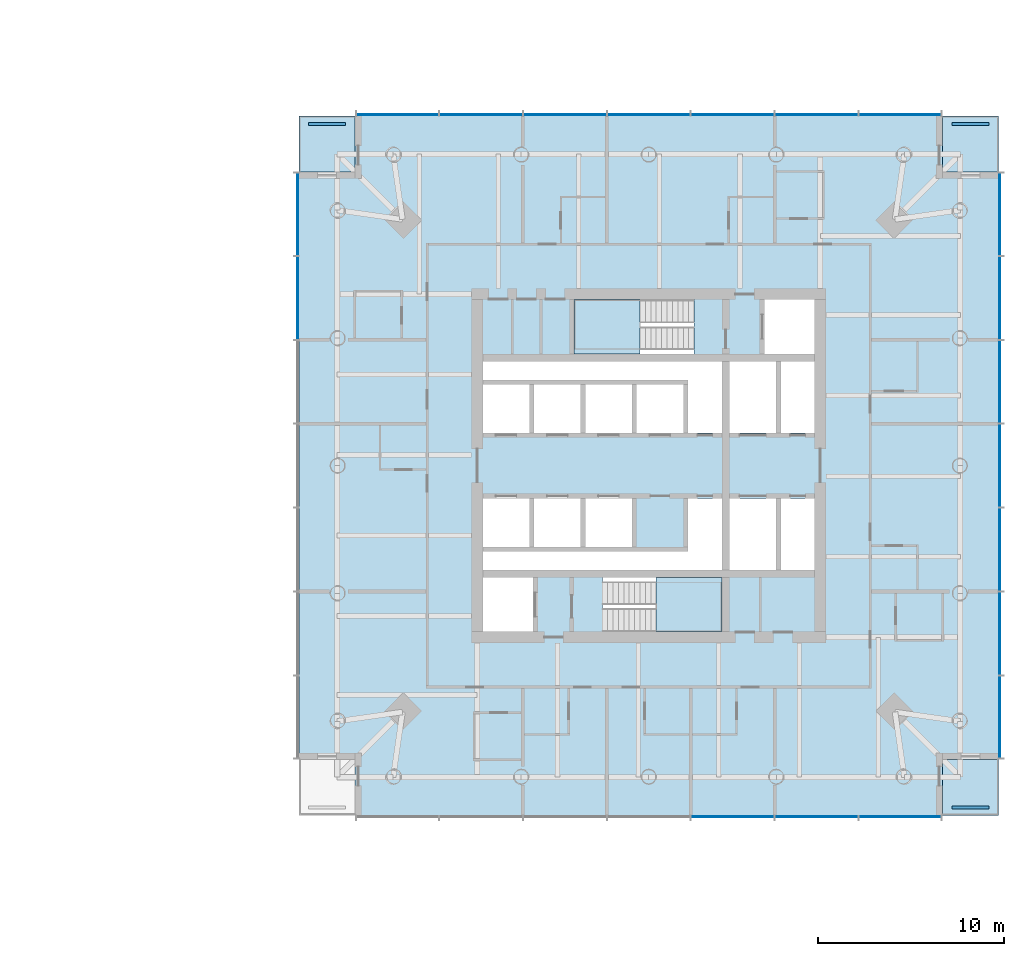
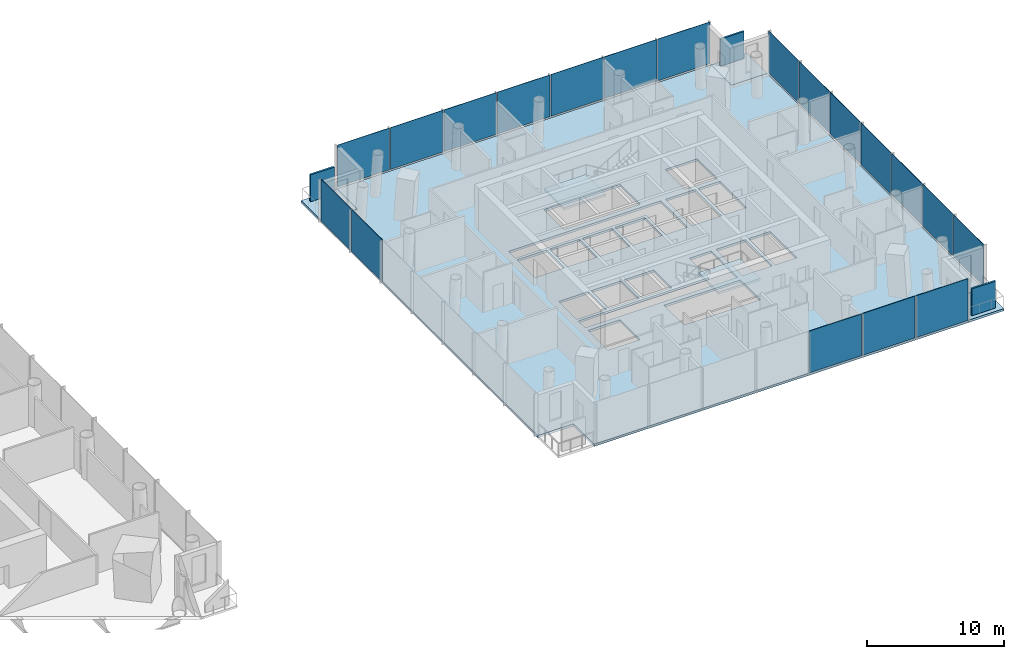
# One storey, part 8 of 18: 22 plates, 6 slabs, 6 elements without a shape of their own.
"""IFC4 building model written with IfcOpenShell, lengths in metres."""

from ifc_helpers import new_model, si_unit, direction, frame, origin, origin_2d, place, context, subcontext, project, spatial, polyline, rectangle, outline, extrude, material, layer, layer_set, type_object, element, aggregate, save


model = new_model("IFC4")

# Units and contexts
model_context = context("Model", 3, precision=1e-05, world=origin(), true_north=direction((0.0, 1.0)))
body_context = subcontext(model_context, "Body", "Model", "MODEL_VIEW")
ifc_project = project(units=[si_unit("LENGTHUNIT", "METRE"), si_unit("AREAUNIT", "SQUARE_METRE"), si_unit("VOLUMEUNIT", "CUBIC_METRE"), si_unit("PLANEANGLEUNIT", "RADIAN"), si_unit("MASSUNIT", "GRAM", prefix="KILO")], contexts=[model_context])

# Site, building, storey
site_placement = place(None, origin())
site = spatial("IfcSite", under=ifc_project, at=site_placement, CompositionType="ELEMENT")
building_placement = place(site_placement, origin())
building = spatial("IfcBuilding", under=site, at=building_placement, Name="Ostroluk Exchange", CompositionType="ELEMENT")
storey_placement = place(building_placement, frame((0.0, 0.0, 74.199951171875)))
storey = spatial("IfcBuildingStorey", under=building, at=storey_placement, Name="L18", CompositionType="ELEMENT", Elevation=74.199951171875)

# Curtain wall, plates
ifc_material_1 = material(Name="Laminated clear glass", Category="glass")
curtain_wall_type = type_object("IfcCurtainWallType", Name="Hotel guest floor facade", PredefinedType="USERDEFINED", material=ifc_material_1)
curtain_wall_1_placement = place(storey_placement, origin())
curtain_wall_1 = element("IfcCurtainWall", 1, at=curtain_wall_1_placement, inside=storey, type_object=curtain_wall_type, Name="Hotel tower south facade L18", ObjectType="UNITISED CURTAIN WALL", PredefinedType="USERDEFINED")
ifc_material_2 = material(Name="Laminated clear glass", Category="glass")
ifc_layer_1 = layer(ifc_material_2, 0.0400390625)
ifc_layer_set_1 = layer_set([ifc_layer_1], Name="Acoustic laminated glazing 40")
plate_type_1 = type_object("IfcPlateType", Name="Acoustic laminated glazing 40", PredefinedType="CURTAIN_PANEL", material=ifc_layer_set_1)
plate_1_placement = place(storey_placement, frame((121.5, 27.175048828125, 0.080078125), z_axis=(0.0, 0.0, 1.0), x_axis=(1.0, 0.0, 0.0)))
plate_1 = element("IfcPlate", 2, at=plate_1_placement, type_object=plate_type_1, Name="CW-H1 panel 5.1", PredefinedType="CURTAIN_PANEL", context=body_context, shape_type="SweptSolid", body=[
    extrude(rectangle(XDim=4.419921875, YDim=0.0400390625, at=origin_2d()), origin(), (0.0, 0.0, 1.0), 3.719970703125),
])
plate_2_placement = place(storey_placement, frame((126.0, 27.175048828125, 0.080078125), z_axis=(0.0, 0.0, 1.0), x_axis=(1.0, 0.0, 0.0)))
plate_2 = element("IfcPlate", 3, at=plate_2_placement, type_object=plate_type_1, Name="CW-H1 panel 6.1", PredefinedType="CURTAIN_PANEL", context=body_context, shape_type="SweptSolid", body=[
    extrude(rectangle(XDim=4.419921875, YDim=0.0400390625, at=origin_2d()), origin(), (0.0, 0.0, 1.0), 3.719970703125),
])
plate_3_placement = place(storey_placement, frame((130.47998046875, 27.175048828125, 0.080078125), z_axis=(0.0, 0.0, 1.0), x_axis=(1.0, 0.0, 0.0)))
plate_3 = element("IfcPlate", 4, at=plate_3_placement, type_object=plate_type_1, Name="CW-H1 panel 7.1", PredefinedType="CURTAIN_PANEL", context=body_context, shape_type="SweptSolid", body=[
    extrude(rectangle(XDim=4.3798828125, YDim=0.0400390625, at=origin_2d()), origin(), (0.0, 0.0, 1.0), 3.719970703125),
])
aggregate(curtain_wall_1, [plate_1, plate_2, plate_3])

curtain_wall_2_placement = place(storey_placement, origin())
curtain_wall_2 = element("IfcCurtainWall", 5, at=curtain_wall_2_placement, inside=storey, type_object=curtain_wall_type, Name="Hotel tower east facade L18", ObjectType="UNITISED CURTAIN WALL", PredefinedType="USERDEFINED")
plate_4_placement = place(storey_placement, frame((135.824951171875, 32.52001953125, 0.080078125), z_axis=(0.0, 0.0, 1.0), x_axis=(0.0, 1.0, 0.0)))
plate_4 = element("IfcPlate", 6, at=plate_4_placement, type_object=plate_type_1, Name="CW-H1 panel 1.1", PredefinedType="CURTAIN_PANEL", context=body_context, shape_type="SweptSolid", body=[
    extrude(rectangle(XDim=4.3798828125, YDim=0.0400390625, at=origin_2d()), origin(), (0.0, 0.0, 1.0), 3.719970703125),
])
plate_5_placement = place(storey_placement, frame((135.824951171875, 37.0, 0.080078125), z_axis=(0.0, 0.0, 1.0), x_axis=(0.0, 1.0, 0.0)))
plate_5 = element("IfcPlate", 7, at=plate_5_placement, type_object=plate_type_1, Name="CW-H1 panel 2.1", PredefinedType="CURTAIN_PANEL", context=body_context, shape_type="SweptSolid", body=[
    extrude(rectangle(XDim=4.419921875, YDim=0.0400390625, at=origin_2d()), origin(), (0.0, 0.0, 1.0), 3.719970703125),
])
plate_6_placement = place(storey_placement, frame((135.824951171875, 41.5, 0.080078125), z_axis=(0.0, 0.0, 1.0), x_axis=(0.0, 1.0, 0.0)))
plate_6 = element("IfcPlate", 8, at=plate_6_placement, type_object=plate_type_1, Name="CW-H1 panel 3.1", PredefinedType="CURTAIN_PANEL", context=body_context, shape_type="SweptSolid", body=[
    extrude(rectangle(XDim=4.419921875, YDim=0.0400390625, at=origin_2d()), origin(), (0.0, 0.0, 1.0), 3.719970703125),
])
plate_7_placement = place(storey_placement, frame((135.824951171875, 46.0, 0.080078125), z_axis=(0.0, 0.0, 1.0), x_axis=(0.0, 1.0, 0.0)))
plate_7 = element("IfcPlate", 9, at=plate_7_placement, type_object=plate_type_1, Name="CW-H1 panel 4.1", PredefinedType="CURTAIN_PANEL", context=body_context, shape_type="SweptSolid", body=[
    extrude(rectangle(XDim=4.419921875, YDim=0.0400390625, at=origin_2d()), origin(), (0.0, 0.0, 1.0), 3.719970703125),
])
plate_8_placement = place(storey_placement, frame((135.824951171875, 50.5, 0.080078125), z_axis=(0.0, 0.0, 1.0), x_axis=(0.0, 1.0, 0.0)))
plate_8 = element("IfcPlate", 10, at=plate_8_placement, type_object=plate_type_1, Name="CW-H1 panel 5.1", PredefinedType="CURTAIN_PANEL", context=body_context, shape_type="SweptSolid", body=[
    extrude(rectangle(XDim=4.419921875, YDim=0.0400390625, at=origin_2d()), origin(), (0.0, 0.0, 1.0), 3.719970703125),
])
plate_9_placement = place(storey_placement, frame((135.824951171875, 55.0, 0.080078125), z_axis=(0.0, 0.0, 1.0), x_axis=(0.0, 1.0, 0.0)))
plate_9 = element("IfcPlate", 11, at=plate_9_placement, type_object=plate_type_1, Name="CW-H1 panel 6.1", PredefinedType="CURTAIN_PANEL", context=body_context, shape_type="SweptSolid", body=[
    extrude(rectangle(XDim=4.419921875, YDim=0.0400390625, at=origin_2d()), origin(), (0.0, 0.0, 1.0), 3.719970703125),
])
plate_10_placement = place(storey_placement, frame((135.824951171875, 59.47998046875, 0.080078125), z_axis=(0.0, 0.0, 1.0), x_axis=(0.0, 1.0, 0.0)))
plate_10 = element("IfcPlate", 12, at=plate_10_placement, type_object=plate_type_1, Name="CW-H1 panel 7.1", PredefinedType="CURTAIN_PANEL", context=body_context, shape_type="SweptSolid", body=[
    extrude(rectangle(XDim=4.3798828125, YDim=0.0400390625, at=origin_2d()), origin(), (0.0, 0.0, 1.0), 3.719970703125),
])
aggregate(curtain_wall_2, [plate_4, plate_5, plate_6, plate_7, plate_8, plate_9, plate_10])

curtain_wall_3_placement = place(storey_placement, origin())
curtain_wall_3 = element("IfcCurtainWall", 13, at=curtain_wall_3_placement, inside=storey, type_object=curtain_wall_type, Name="Hotel tower north facade L18", ObjectType="UNITISED CURTAIN WALL", PredefinedType="USERDEFINED")
plate_11_placement = place(storey_placement, frame((130.47998046875, 64.824951171875, 0.080078125), z_axis=(0.0, 0.0, 1.0), x_axis=(-1.0, 0.0, 0.0)))
plate_11 = element("IfcPlate", 14, at=plate_11_placement, type_object=plate_type_1, Name="CW-H1 panel 1.1", PredefinedType="CURTAIN_PANEL", context=body_context, shape_type="SweptSolid", body=[
    extrude(rectangle(XDim=4.3798828125, YDim=0.0400390625, at=origin_2d()), origin(), (0.0, 0.0, 1.0), 3.719970703125),
])
plate_12_placement = place(storey_placement, frame((126.0, 64.824951171875, 0.080078125), z_axis=(0.0, 0.0, 1.0), x_axis=(-1.0, 0.0, 0.0)))
plate_12 = element("IfcPlate", 15, at=plate_12_placement, type_object=plate_type_1, Name="CW-H1 panel 2.1", PredefinedType="CURTAIN_PANEL", context=body_context, shape_type="SweptSolid", body=[
    extrude(rectangle(XDim=4.419921875, YDim=0.0400390625, at=origin_2d()), origin(), (0.0, 0.0, 1.0), 3.719970703125),
])
plate_13_placement = place(storey_placement, frame((121.5, 64.824951171875, 0.080078125), z_axis=(0.0, 0.0, 1.0), x_axis=(-1.0, 0.0, 0.0)))
plate_13 = element("IfcPlate", 16, at=plate_13_placement, type_object=plate_type_1, Name="CW-H1 panel 3.1", PredefinedType="CURTAIN_PANEL", context=body_context, shape_type="SweptSolid", body=[
    extrude(rectangle(XDim=4.419921875, YDim=0.0400390625, at=origin_2d()), origin(), (0.0, 0.0, 1.0), 3.719970703125),
])
plate_14_placement = place(storey_placement, frame((117.0, 64.824951171875, 0.080078125), z_axis=(0.0, 0.0, 1.0), x_axis=(-1.0, 0.0, 0.0)))
plate_14 = element("IfcPlate", 17, at=plate_14_placement, type_object=plate_type_1, Name="CW-H1 panel 4.1", PredefinedType="CURTAIN_PANEL", context=body_context, shape_type="SweptSolid", body=[
    extrude(rectangle(XDim=4.419921875, YDim=0.0400390625, at=origin_2d()), origin(), (0.0, 0.0, 1.0), 3.719970703125),
])
plate_15_placement = place(storey_placement, frame((112.5, 64.824951171875, 0.080078125), z_axis=(0.0, 0.0, 1.0), x_axis=(-1.0, 0.0, 0.0)))
plate_15 = element("IfcPlate", 18, at=plate_15_placement, type_object=plate_type_1, Name="CW-H1 panel 5.1", PredefinedType="CURTAIN_PANEL", context=body_context, shape_type="SweptSolid", body=[
    extrude(rectangle(XDim=4.419921875, YDim=0.0400390625, at=origin_2d()), origin(), (0.0, 0.0, 1.0), 3.719970703125),
])
plate_16_placement = place(storey_placement, frame((108.0, 64.824951171875, 0.080078125), z_axis=(0.0, 0.0, 1.0), x_axis=(-1.0, 0.0, 0.0)))
plate_16 = element("IfcPlate", 19, at=plate_16_placement, type_object=plate_type_1, Name="CW-H1 panel 6.1", PredefinedType="CURTAIN_PANEL", context=body_context, shape_type="SweptSolid", body=[
    extrude(rectangle(XDim=4.419921875, YDim=0.0400390625, at=origin_2d()), origin(), (0.0, 0.0, 1.0), 3.719970703125),
])
plate_17_placement = place(storey_placement, frame((103.52001953125, 64.824951171875, 0.080078125), z_axis=(0.0, 0.0, 1.0), x_axis=(-1.0, 0.0, 0.0)))
plate_17 = element("IfcPlate", 20, at=plate_17_placement, type_object=plate_type_1, Name="CW-H1 panel 7.1", PredefinedType="CURTAIN_PANEL", context=body_context, shape_type="SweptSolid", body=[
    extrude(rectangle(XDim=4.3798828125, YDim=0.0400390625, at=origin_2d()), origin(), (0.0, 0.0, 1.0), 3.719970703125),
])
aggregate(curtain_wall_3, [plate_11, plate_12, plate_13, plate_14, plate_15, plate_16, plate_17])

curtain_wall_4_placement = place(storey_placement, origin())
curtain_wall_4 = element("IfcCurtainWall", 21, at=curtain_wall_4_placement, inside=storey, type_object=curtain_wall_type, Name="Hotel tower west facade L18", ObjectType="UNITISED CURTAIN WALL", PredefinedType="USERDEFINED")
plate_18_placement = place(storey_placement, frame((98.175048828125, 59.47998046875, 0.080078125), z_axis=(0.0, 0.0, 1.0), x_axis=(0.0, -1.0, 0.0)))
plate_18 = element("IfcPlate", 22, at=plate_18_placement, type_object=plate_type_1, Name="CW-H1 panel 1.1", PredefinedType="CURTAIN_PANEL", context=body_context, shape_type="SweptSolid", body=[
    extrude(rectangle(XDim=4.3798828125, YDim=0.0400390625, at=origin_2d()), origin(), (0.0, 0.0, 1.0), 3.719970703125),
])
plate_19_placement = place(storey_placement, frame((98.175048828125, 55.0, 0.080078125), z_axis=(0.0, 0.0, 1.0), x_axis=(0.0, -1.0, 0.0)))
plate_19 = element("IfcPlate", 23, at=plate_19_placement, type_object=plate_type_1, Name="CW-H1 panel 2.1", PredefinedType="CURTAIN_PANEL", context=body_context, shape_type="SweptSolid", body=[
    extrude(rectangle(XDim=4.419921875, YDim=0.0400390625, at=origin_2d()), origin(), (0.0, 0.0, 1.0), 3.719970703125),
])
aggregate(curtain_wall_4, [plate_18, plate_19])

# Slabs
ifc_material_3 = material(Name="Concrete C35/45", Category="concrete")
ifc_layer_2 = layer(ifc_material_3, 0.199951171875)
ifc_layer_set_2 = layer_set([ifc_layer_2], Name="Balcony slab 200")
slab_type_1 = type_object("IfcSlabType", Name="Balcony slab 200", PredefinedType="USERDEFINED", material=ifc_layer_set_2)
slab_1_placement = place(storey_placement, frame((0.0, 0.0, -0.199951171875)))
element("IfcSlab", 24, at=slab_1_placement, inside=storey, type_object=slab_type_1, Name="Hotel tower SE corner balcony L18", ObjectType="BALCONY", PredefinedType="USERDEFINED", context=body_context, shape_type="SweptSolid", body=[
    extrude(outline(polyline([(132.75, 27.25), (135.75, 27.25), (135.75, 30.25), (132.75, 30.25), (132.75, 27.25)])), origin(), (0.0, 0.0, 1.0), 0.199951171875),
])
slab_2_placement = place(storey_placement, frame((0.0, 0.0, -0.199951171875)))
element("IfcSlab", 25, at=slab_2_placement, inside=storey, type_object=slab_type_1, Name="Hotel tower NE corner balcony L18", ObjectType="BALCONY", PredefinedType="USERDEFINED", context=body_context, shape_type="SweptSolid", body=[
    extrude(outline(polyline([(132.75, 61.75), (135.75, 61.75), (135.75, 64.75), (132.75, 64.75), (132.75, 61.75)])), origin(), (0.0, 0.0, 1.0), 0.199951171875),
])
slab_3_placement = place(storey_placement, frame((0.0, 0.0, -0.199951171875)))
element("IfcSlab", 26, at=slab_3_placement, inside=storey, type_object=slab_type_1, Name="Hotel tower NW corner balcony L18", ObjectType="BALCONY", PredefinedType="USERDEFINED", context=body_context, shape_type="SweptSolid", body=[
    extrude(outline(polyline([(98.25, 61.75), (101.25, 61.75), (101.25, 64.75), (98.25, 64.75), (98.25, 61.75)])), origin(), (0.0, 0.0, 1.0), 0.199951171875),
])

# Plates
ifc_material_4 = material(Name="Steel S355 trellis with planting", Category="steel")
ifc_layer_3 = layer(ifc_material_4, 0.14990234375)
ifc_layer_set_3 = layer_set([ifc_layer_3], Name="Planted screen 150")
plate_type_2 = type_object("IfcPlateType", Name="Planted screen 150", PredefinedType="USERDEFINED", material=ifc_layer_set_3)
for number, where, z_axis, x_axis, name in (
    (27, (134.25, 27.675048828125, 0.0), (0.0, 0.0, 1.0), (1.0, 0.0, 0.0), "Hotel tower SE planted screen L18"),
    (28, (134.25, 64.324951171875, 0.0), (0.0, 0.0, 1.0), (1.0, 0.0, 0.0), "Hotel tower NE planted screen L18"),
    (29, (99.75, 64.324951171875, 0.0), (0.0, 0.0, 1.0), (1.0, 0.0, 0.0), "Hotel tower NW planted screen L18"),
):
    element("IfcPlate", number, at=place(storey_placement, frame(where, z_axis=z_axis, x_axis=x_axis)), inside=storey, type_object=plate_type_2, Name=name, ObjectType="PLANTED SCREEN", PredefinedType="USERDEFINED", context=body_context, shape_type="SweptSolid", body=[
        extrude(rectangle(XDim=2.0, YDim=0.14990234375, at=origin_2d()), origin(), (0.0, 0.0, 1.0), 2.39990234375),
    ])

# Stair, slab
ifc_material_5 = material(Name="Concrete C30/37", Category="concrete")
stair_type = type_object("IfcStairType", Name="Exit stair half turn 3800", PredefinedType="HALF_TURN_STAIR", material=ifc_material_5)
stair_1_placement = place(storey_placement, origin())
stair_1 = element("IfcStair", 30, at=stair_1_placement, inside=storey, type_object=stair_type, Name="Stair T2-S1 L18", PredefinedType="HALF_TURN_STAIR")
ifc_material_6 = material(Name="Concrete C30/37", Category="concrete")
ifc_layer_4 = layer(ifc_material_6, 0.199951171875)
ifc_layer_set_4 = layer_set([ifc_layer_4], Name="Stair landing 200")
slab_type_2 = type_object("IfcSlabType", Name="Stair landing 200", PredefinedType="LANDING", material=ifc_layer_set_4)
slab_4_placement = place(storey_placement, frame((0.0, 0.0, 1.699951171875)))
slab_4 = element("IfcSlab", 31, at=slab_4_placement, type_object=slab_type_2, Name="T2-S1 landing 1", PredefinedType="LANDING", context=body_context, shape_type="SweptSolid", body=[
    extrude(outline(polyline([(117.39990234375, 37.10009765625), (117.39990234375, 40.0), (120.929931640625, 40.0), (120.929931640625, 37.10009765625), (117.39990234375, 37.10009765625)])), origin(), (0.0, 0.0, 1.0), 0.2001953125),
])
aggregate(stair_1, [slab_4])

stair_2_placement = place(storey_placement, origin())
stair_2 = element("IfcStair", 32, at=stair_2_placement, inside=storey, type_object=stair_type, Name="Stair T2-S2 L18", PredefinedType="HALF_TURN_STAIR")
slab_5_placement = place(storey_placement, frame((0.0, 0.0, 1.699951171875)))
slab_5 = element("IfcSlab", 33, at=slab_5_placement, type_object=slab_type_2, Name="T2-S2 landing 1", PredefinedType="LANDING", context=body_context, shape_type="SweptSolid", body=[
    extrude(outline(polyline([(116.530029296875, 52.0), (116.530029296875, 54.89990234375), (113.0, 54.89990234375), (113.0, 52.0), (116.530029296875, 52.0)])), origin(), (0.0, 0.0, 1.0), 0.2001953125),
])
aggregate(stair_2, [slab_5])

# Slab
ifc_material_7 = material(Name="Concrete C35/45", Category="concrete")
ifc_layer_5 = layer(ifc_material_7, 0.199951171875)
ifc_layer_set_5 = layer_set([ifc_layer_5], Name="Tower floor slab 200 composite")
slab_type_3 = type_object("IfcSlabType", Name="Tower floor slab 200 composite", PredefinedType="FLOOR", material=ifc_layer_set_5)
slab_6_placement = place(storey_placement, frame((0.0, 0.0, -0.199951171875)))
element("IfcSlab", 34, at=slab_6_placement, inside=storey, type_object=slab_type_3, Name="Hotel tower floor slab L18", PredefinedType="FLOOR", context=body_context, shape_type="SweptSolid", body=[
    extrude(outline(polyline([(101.25, 27.25), (132.75, 27.25), (132.75, 30.25), (135.75, 30.25), (135.75, 61.75), (132.75, 61.75), (132.75, 64.75), (101.25, 64.75), (101.25, 61.75), (98.25, 61.75), (98.25, 30.25), (101.25, 30.25), (101.25, 27.25)]), holes=[polyline([(108.10009765625, 37.10009765625), (110.800048828125, 37.10009765625), (110.800048828125, 40.0), (108.10009765625, 40.0), (108.10009765625, 37.10009765625)]), polyline([(114.510009765625, 37.10009765625), (120.929931640625, 37.10009765625), (120.929931640625, 40.0), (114.510009765625, 40.0), (114.510009765625, 37.10009765625)]), polyline([(113.0, 52.0), (119.419921875, 52.0), (119.419921875, 54.89990234375), (113.0, 54.89990234375), (113.0, 52.0)]), polyline([(123.199951171875, 52.0), (125.89990234375, 52.0), (125.89990234375, 54.89990234375), (123.199951171875, 54.89990234375), (123.199951171875, 52.0)]), polyline([(108.10009765625, 47.75), (110.60009765625, 47.75), (110.60009765625, 50.35009765625), (108.10009765625, 50.35009765625), (108.10009765625, 47.75)]), polyline([(110.85009765625, 47.75), (113.35009765625, 47.75), (113.35009765625, 50.35009765625), (110.85009765625, 50.35009765625), (110.85009765625, 47.75)]), polyline([(113.60009765625, 47.75), (116.10009765625, 47.75), (116.10009765625, 50.35009765625), (113.60009765625, 50.35009765625), (113.60009765625, 47.75)]), polyline([(116.35009765625, 47.75), (118.85009765625, 47.75), (118.85009765625, 50.35009765625), (116.35009765625, 50.35009765625), (116.35009765625, 47.75)]), polyline([(108.10009765625, 41.64990234375), (110.60009765625, 41.64990234375), (110.60009765625, 44.25), (108.10009765625, 44.25), (108.10009765625, 41.64990234375)]), polyline([(110.85009765625, 41.64990234375), (113.35009765625, 41.64990234375), (113.35009765625, 44.25), (110.85009765625, 44.25), (110.85009765625, 41.64990234375)]), polyline([(113.60009765625, 41.64990234375), (116.10009765625, 41.64990234375), (116.10009765625, 44.25), (113.60009765625, 44.25), (113.60009765625, 41.64990234375)]), polyline([(121.330078125, 47.75), (123.830078125, 47.75), (123.830078125, 51.60009765625), (121.330078125, 51.60009765625), (121.330078125, 47.75)]), polyline([(121.330078125, 40.39990234375), (123.830078125, 40.39990234375), (123.830078125, 44.25), (121.330078125, 44.25), (121.330078125, 40.39990234375)]), polyline([(120.929931640625, 51.60009765625), (120.929931640625, 47.75), (119.10009765625, 47.75), (119.10009765625, 50.60009765625), (108.10009765625, 50.60009765625), (108.10009765625, 51.60009765625), (120.929931640625, 51.60009765625)]), polyline([(108.10009765625, 40.39990234375), (108.10009765625, 41.39990234375), (119.10009765625, 41.39990234375), (119.10009765625, 44.25), (120.929931640625, 44.25), (120.929931640625, 40.39990234375), (108.10009765625, 40.39990234375)]), polyline([(124.080078125, 47.75), (125.89990234375, 47.75), (125.89990234375, 51.60009765625), (124.080078125, 51.60009765625), (124.080078125, 47.75)]), polyline([(124.080078125, 40.39990234375), (125.89990234375, 40.39990234375), (125.89990234375, 44.25), (124.080078125, 44.25), (124.080078125, 40.39990234375)])]), origin(), (0.0, 0.0, 1.0), 0.199951171875),
])

save(model, "model.ifc")
